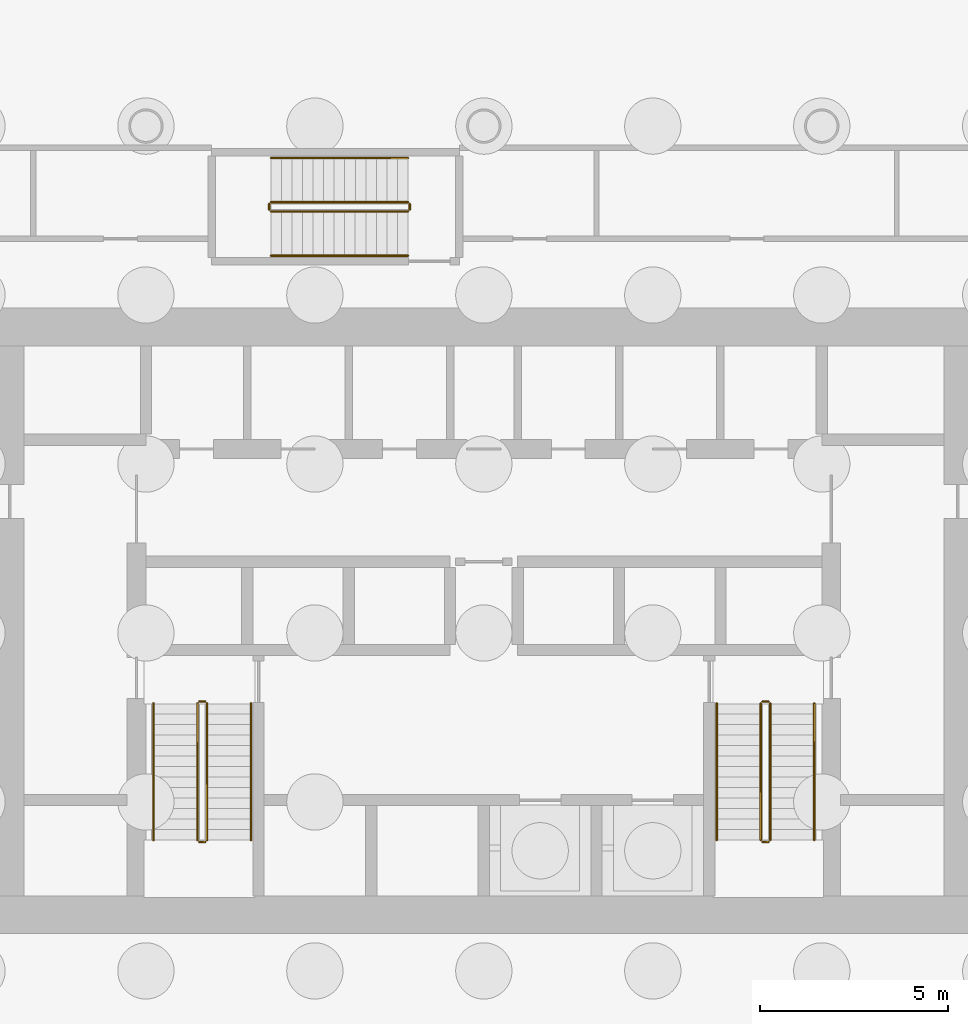
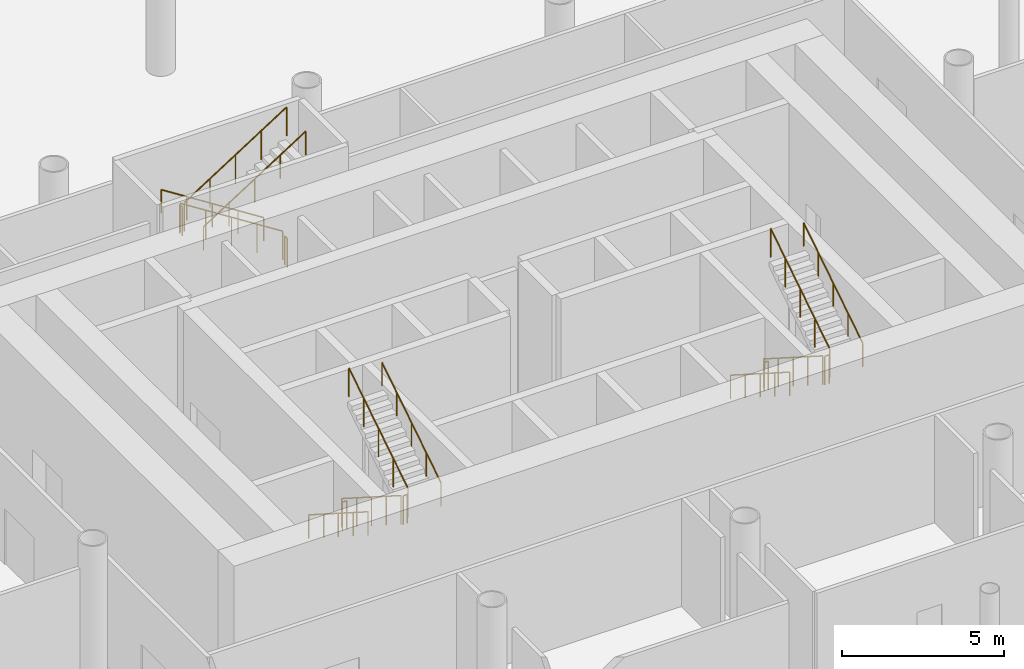
# One storey, part 9 of 10: 18 railings.
"""IFC4 building model written with IfcOpenShell, lengths in metres."""

from ifc_helpers import new_model, si_unit, direction, frame, origin, origin_2d, place, context, subcontext, project, spatial, circle, extrude, material, type_object, element, save


model = new_model("IFC4")

# Units and contexts
model_context = context("Model", 3, precision=1e-05, world=origin(), true_north=direction((0.0, 1.0)))
body_context = subcontext(model_context, "Body", "Model", "MODEL_VIEW")
ifc_project = project(units=[si_unit("LENGTHUNIT", "METRE"), si_unit("AREAUNIT", "SQUARE_METRE"), si_unit("VOLUMEUNIT", "CUBIC_METRE"), si_unit("PLANEANGLEUNIT", "RADIAN"), si_unit("MASSUNIT", "GRAM", prefix="KILO")], contexts=[model_context])

# Site, building, storey
site_placement = place(None, origin())
site = spatial("IfcSite", under=ifc_project, at=site_placement, CompositionType="ELEMENT")
building_placement = place(site_placement, origin())
building = spatial("IfcBuilding", under=site, at=building_placement, Name="Tskaro Facet Tower", CompositionType="ELEMENT")
storey_placement = place(building_placement, frame((0.0, 0.0, -5.0)))
storey = spatial("IfcBuildingStorey", under=building, at=storey_placement, Name="B1", CompositionType="ELEMENT", Elevation=-5.0)

# Railings
ifc_material = material(Name="Stainless steel", Category="steel")
railing_type_1 = type_object("IfcRailingType", Name="RL-GUARD-1100", PredefinedType="GUARDRAIL", material=ifc_material)
railing_1_placement = place(storey_placement, frame((-7.625, -6.375, 0.178466796875)))
element("IfcRailing", 1, at=railing_1_placement, inside=storey, type_object=railing_type_1, Name="B1 ST-1 stair guard 1", PredefinedType="GUARDRAIL", context=body_context, shape_type="SweptSolid", body=[
    extrude(circle(Radius=0.02392578125, at=origin_2d()), frame((0.0, 0.0, 1.076171875), z_axis=(0.0, -0.843111507901, 0.53773877045), x_axis=(1.0, 0.0, 0.0)), (0.0, 0.0, 1.0), 4.317138671875),
    extrude(circle(Radius=0.02099609375, at=origin_2d()), origin(), (0.0, 0.0, 1.0), 1.052001953125),
    extrude(circle(Radius=0.02099609375, at=origin_2d()), frame((0.0, -0.909912109375, 0.580322265625)), (0.0, 0.0, 1.0), 1.052001953125),
    extrude(circle(Radius=0.02099609375, at=origin_2d()), frame((0.0, -1.81982421875, 1.16064453125)), (0.0, 0.0, 1.0), 1.052001953125),
    extrude(circle(Radius=0.02099609375, at=origin_2d()), frame((0.0, -2.72998046875, 1.7412109375)), (0.0, 0.0, 1.0), 1.052001953125),
    extrude(circle(Radius=0.02099609375, at=origin_2d()), frame((0.0, -3.639892578125, 2.321533203125)), (0.0, 0.0, 1.0), 1.052001953125),
])
railing_2_placement = place(storey_placement, frame((-7.574951171875, -10.06494140625, 2.5)))
element("IfcRailing", 2, at=railing_2_placement, inside=storey, type_object=railing_type_1, Name="B1 ST-1 stair guard 2", PredefinedType="GUARDRAIL", context=body_context, shape_type="SweptSolid", body=[
    extrude(circle(Radius=0.02392578125, at=origin_2d()), frame((0.0, 0.0, 1.076171875), z_axis=(1.0, 0.0, 0.0), x_axis=(0.0, 1.0, 0.0)), (0.0, 0.0, 1.0), 0.14990234375),
    extrude(circle(Radius=0.02099609375, at=origin_2d()), origin(), (0.0, 0.0, 1.0), 1.052001953125),
    extrude(circle(Radius=0.02099609375, at=origin_2d()), frame((0.14990234375, 0.0, 0.0)), (0.0, 0.0, 1.0), 1.052001953125),
])
railing_3_placement = place(storey_placement, frame((-7.375, -10.014892578125, 2.678466796875)))
element("IfcRailing", 3, at=railing_3_placement, inside=storey, type_object=railing_type_1, Name="B1 ST-1 stair guard 3", PredefinedType="GUARDRAIL", context=body_context, shape_type="SweptSolid", body=[
    extrude(circle(Radius=0.02392578125, at=origin_2d()), frame((0.0, 0.0, 1.076171875), z_axis=(0.0, 0.843111507901, 0.53773877045), x_axis=(-1.0, 0.0, 0.0)), (0.0, 0.0, 1.0), 4.317138671875),
    extrude(circle(Radius=0.02099609375, at=origin_2d()), origin(), (0.0, 0.0, 1.0), 1.052001953125),
    extrude(circle(Radius=0.02099609375, at=origin_2d()), frame((0.0, 0.909912109375, 0.580322265625)), (0.0, 0.0, 1.0), 1.052001953125),
    extrude(circle(Radius=0.02099609375, at=origin_2d()), frame((0.0, 1.81982421875, 1.16064453125)), (0.0, 0.0, 1.0), 1.052001953125),
    extrude(circle(Radius=0.02099609375, at=origin_2d()), frame((0.0, 2.72998046875, 1.7412109375)), (0.0, 0.0, 1.0), 1.052001953125),
    extrude(circle(Radius=0.02099609375, at=origin_2d()), frame((0.0, 3.639892578125, 2.321533203125)), (0.0, 0.0, 1.0), 1.052001953125),
])
railing_4_placement = place(storey_placement, frame((-7.574951171875, -6.324951171875, 0.0)))
element("IfcRailing", 4, at=railing_4_placement, inside=storey, type_object=railing_type_1, Name="B1 ST-1 stair guard 4", PredefinedType="GUARDRAIL", context=body_context, shape_type="SweptSolid", body=[
    extrude(circle(Radius=0.02392578125, at=origin_2d()), frame((0.0, 0.0, 1.076171875), z_axis=(1.0, 0.0, 0.0), x_axis=(0.0, 1.0, 0.0)), (0.0, 0.0, 1.0), 0.14990234375),
    extrude(circle(Radius=0.02099609375, at=origin_2d()), origin(), (0.0, 0.0, 1.0), 1.052001953125),
    extrude(circle(Radius=0.02099609375, at=origin_2d()), frame((0.14990234375, 0.0, 0.0)), (0.0, 0.0, 1.0), 1.052001953125),
])
railing_5_placement = place(storey_placement, frame((7.375, -6.375, 0.178466796875)))
element("IfcRailing", 5, at=railing_5_placement, inside=storey, type_object=railing_type_1, Name="B1 ST-2 stair guard 1", PredefinedType="GUARDRAIL", context=body_context, shape_type="SweptSolid", body=[
    extrude(circle(Radius=0.02392578125, at=origin_2d()), frame((0.0, 0.0, 1.076171875), z_axis=(0.0, -0.843111507901, 0.53773877045), x_axis=(1.0, 0.0, 0.0)), (0.0, 0.0, 1.0), 4.317138671875),
    extrude(circle(Radius=0.02099609375, at=origin_2d()), origin(), (0.0, 0.0, 1.0), 1.052001953125),
    extrude(circle(Radius=0.02099609375, at=origin_2d()), frame((0.0, -0.909912109375, 0.580322265625)), (0.0, 0.0, 1.0), 1.052001953125),
    extrude(circle(Radius=0.02099609375, at=origin_2d()), frame((0.0, -1.81982421875, 1.16064453125)), (0.0, 0.0, 1.0), 1.052001953125),
    extrude(circle(Radius=0.02099609375, at=origin_2d()), frame((0.0, -2.72998046875, 1.7412109375)), (0.0, 0.0, 1.0), 1.052001953125),
    extrude(circle(Radius=0.02099609375, at=origin_2d()), frame((0.0, -3.639892578125, 2.321533203125)), (0.0, 0.0, 1.0), 1.052001953125),
])
railing_6_placement = place(storey_placement, frame((7.425048828125, -10.06494140625, 2.5)))
element("IfcRailing", 6, at=railing_6_placement, inside=storey, type_object=railing_type_1, Name="B1 ST-2 stair guard 2", PredefinedType="GUARDRAIL", context=body_context, shape_type="SweptSolid", body=[
    extrude(circle(Radius=0.02392578125, at=origin_2d()), frame((0.0, 0.0, 1.076171875), z_axis=(1.0, 0.0, 0.0), x_axis=(0.0, 1.0, 0.0)), (0.0, 0.0, 1.0), 0.14990234375),
    extrude(circle(Radius=0.02099609375, at=origin_2d()), origin(), (0.0, 0.0, 1.0), 1.052001953125),
    extrude(circle(Radius=0.02099609375, at=origin_2d()), frame((0.14990234375, 0.0, 0.0)), (0.0, 0.0, 1.0), 1.052001953125),
])
railing_7_placement = place(storey_placement, frame((7.625, -10.014892578125, 2.678466796875)))
element("IfcRailing", 7, at=railing_7_placement, inside=storey, type_object=railing_type_1, Name="B1 ST-2 stair guard 3", PredefinedType="GUARDRAIL", context=body_context, shape_type="SweptSolid", body=[
    extrude(circle(Radius=0.02392578125, at=origin_2d()), frame((0.0, 0.0, 1.076171875), z_axis=(0.0, 0.843111507901, 0.53773877045), x_axis=(-1.0, 0.0, 0.0)), (0.0, 0.0, 1.0), 4.317138671875),
    extrude(circle(Radius=0.02099609375, at=origin_2d()), origin(), (0.0, 0.0, 1.0), 1.052001953125),
    extrude(circle(Radius=0.02099609375, at=origin_2d()), frame((0.0, 0.909912109375, 0.580322265625)), (0.0, 0.0, 1.0), 1.052001953125),
    extrude(circle(Radius=0.02099609375, at=origin_2d()), frame((0.0, 1.81982421875, 1.16064453125)), (0.0, 0.0, 1.0), 1.052001953125),
    extrude(circle(Radius=0.02099609375, at=origin_2d()), frame((0.0, 2.72998046875, 1.7412109375)), (0.0, 0.0, 1.0), 1.052001953125),
    extrude(circle(Radius=0.02099609375, at=origin_2d()), frame((0.0, 3.639892578125, 2.321533203125)), (0.0, 0.0, 1.0), 1.052001953125),
])
railing_8_placement = place(storey_placement, frame((7.425048828125, -6.324951171875, 0.0)))
element("IfcRailing", 8, at=railing_8_placement, inside=storey, type_object=railing_type_1, Name="B1 ST-2 stair guard 4", PredefinedType="GUARDRAIL", context=body_context, shape_type="SweptSolid", body=[
    extrude(circle(Radius=0.02392578125, at=origin_2d()), frame((0.0, 0.0, 1.076171875), z_axis=(1.0, 0.0, 0.0), x_axis=(0.0, 1.0, 0.0)), (0.0, 0.0, 1.0), 0.14990234375),
    extrude(circle(Radius=0.02099609375, at=origin_2d()), origin(), (0.0, 0.0, 1.0), 1.052001953125),
    extrude(circle(Radius=0.02099609375, at=origin_2d()), frame((0.14990234375, 0.0, 0.0)), (0.0, 0.0, 1.0), 1.052001953125),
])
railing_9_placement = place(storey_placement, frame((-2.02490234375, 6.97509765625, 0.178466796875)))
element("IfcRailing", 9, at=railing_9_placement, inside=storey, type_object=railing_type_1, Name="B1 ST-3 stair guard 1", PredefinedType="GUARDRAIL", context=body_context, shape_type="SweptSolid", body=[
    extrude(circle(Radius=0.02392578125, at=origin_2d()), frame((0.0, 0.0, 1.076171875), z_axis=(-0.843127859045, 0.0, 0.537713132908), x_axis=(0.0, -1.0, 0.0)), (0.0, 0.0, 1.0), 4.3173828125),
    extrude(circle(Radius=0.02099609375, at=origin_2d()), origin(), (0.0, 0.0, 1.0), 1.052001953125),
    extrude(circle(Radius=0.02099609375, at=origin_2d()), frame((-0.91015625, 0.0, 0.580322265625)), (0.0, 0.0, 1.0), 1.052001953125),
    extrude(circle(Radius=0.02099609375, at=origin_2d()), frame((-1.820068359375, 0.0, 1.16064453125)), (0.0, 0.0, 1.0), 1.052001953125),
    extrude(circle(Radius=0.02099609375, at=origin_2d()), frame((-2.72998046875, 0.0, 1.7412109375)), (0.0, 0.0, 1.0), 1.052001953125),
    extrude(circle(Radius=0.02099609375, at=origin_2d()), frame((-3.64013671875, 0.0, 2.321533203125)), (0.0, 0.0, 1.0), 1.052001953125),
])
railing_10_placement = place(storey_placement, frame((-5.715087890625, 6.925048828125, 2.5)))
element("IfcRailing", 10, at=railing_10_placement, inside=storey, type_object=railing_type_1, Name="B1 ST-3 stair guard 2", PredefinedType="GUARDRAIL", context=body_context, shape_type="SweptSolid", body=[
    extrude(circle(Radius=0.02392578125, at=origin_2d()), frame((0.0, 0.0, 1.076171875), z_axis=(0.0, -1.0, 0.0), x_axis=(1.0, 0.0, 0.0)), (0.0, 0.0, 1.0), 0.150146484375),
    extrude(circle(Radius=0.02099609375, at=origin_2d()), origin(), (0.0, 0.0, 1.0), 1.052001953125),
    extrude(circle(Radius=0.02099609375, at=origin_2d()), frame((0.0, -0.150146484375, 0.0)), (0.0, 0.0, 1.0), 1.052001953125),
])
railing_11_placement = place(storey_placement, frame((-5.6650390625, 6.72509765625, 2.678466796875)))
element("IfcRailing", 11, at=railing_11_placement, inside=storey, type_object=railing_type_1, Name="B1 ST-3 stair guard 3", PredefinedType="GUARDRAIL", context=body_context, shape_type="SweptSolid", body=[
    extrude(circle(Radius=0.02392578125, at=origin_2d()), frame((0.0, 0.0, 1.076171875), z_axis=(0.843127859045, 0.0, 0.537713132908), x_axis=(0.0, 1.0, 0.0)), (0.0, 0.0, 1.0), 4.3173828125),
    extrude(circle(Radius=0.02099609375, at=origin_2d()), origin(), (0.0, 0.0, 1.0), 1.052001953125),
    extrude(circle(Radius=0.02099609375, at=origin_2d()), frame((0.91015625, 0.0, 0.580322265625)), (0.0, 0.0, 1.0), 1.052001953125),
    extrude(circle(Radius=0.02099609375, at=origin_2d()), frame((1.820068359375, 0.0, 1.16064453125)), (0.0, 0.0, 1.0), 1.052001953125),
    extrude(circle(Radius=0.02099609375, at=origin_2d()), frame((2.72998046875, 0.0, 1.7412109375)), (0.0, 0.0, 1.0), 1.052001953125),
    extrude(circle(Radius=0.02099609375, at=origin_2d()), frame((3.64013671875, 0.0, 2.321533203125)), (0.0, 0.0, 1.0), 1.052001953125),
])
railing_12_placement = place(storey_placement, frame((-1.97509765625, 6.925048828125, 0.0)))
element("IfcRailing", 12, at=railing_12_placement, inside=storey, type_object=railing_type_1, Name="B1 ST-3 stair guard 4", PredefinedType="GUARDRAIL", context=body_context, shape_type="SweptSolid", body=[
    extrude(circle(Radius=0.02392578125, at=origin_2d()), frame((0.0, 0.0, 1.076171875), z_axis=(0.0, -1.0, 0.0), x_axis=(1.0, 0.0, 0.0)), (0.0, 0.0, 1.0), 0.150146484375),
    extrude(circle(Radius=0.02099609375, at=origin_2d()), origin(), (0.0, 0.0, 1.0), 1.052001953125),
    extrude(circle(Radius=0.02099609375, at=origin_2d()), frame((0.0, -0.150146484375, 0.0)), (0.0, 0.0, 1.0), 1.052001953125),
])
railing_type_2 = type_object("IfcRailingType", Name="RL-HANDRAIL-900", PredefinedType="HANDRAIL", material=ifc_material)
railing_13_placement = place(storey_placement, frame((-8.800048828125, -6.375, 0.178466796875)))
element("IfcRailing", 13, at=railing_13_placement, inside=storey, type_object=railing_type_2, Name="B1 ST-1 stair handrail 1", PredefinedType="HANDRAIL", context=body_context, shape_type="SweptSolid", body=[
    extrude(circle(Radius=0.02392578125, at=origin_2d()), frame((0.0, 0.0, 0.8759765625), z_axis=(0.0, -0.843111507901, 0.53773877045), x_axis=(1.0, 0.0, 0.0)), (0.0, 0.0, 1.0), 4.317138671875),
    extrude(circle(Radius=0.02099609375, at=origin_2d()), origin(), (0.0, 0.0, 1.0), 0.851806640625),
    extrude(circle(Radius=0.02099609375, at=origin_2d()), frame((0.0, -0.909912109375, 0.580322265625)), (0.0, 0.0, 1.0), 0.851806640625),
    extrude(circle(Radius=0.02099609375, at=origin_2d()), frame((0.0, -1.81982421875, 1.16064453125)), (0.0, 0.0, 1.0), 0.851806640625),
    extrude(circle(Radius=0.02099609375, at=origin_2d()), frame((0.0, -2.72998046875, 1.7412109375)), (0.0, 0.0, 1.0), 0.851806640625),
    extrude(circle(Radius=0.02099609375, at=origin_2d()), frame((0.0, -3.639892578125, 2.321533203125)), (0.0, 0.0, 1.0), 0.851806640625),
])
railing_14_placement = place(storey_placement, frame((-6.199951171875, -10.014892578125, 2.678466796875)))
element("IfcRailing", 14, at=railing_14_placement, inside=storey, type_object=railing_type_2, Name="B1 ST-1 stair handrail 2", PredefinedType="HANDRAIL", context=body_context, shape_type="SweptSolid", body=[
    extrude(circle(Radius=0.02392578125, at=origin_2d()), frame((0.0, 0.0, 0.8759765625), z_axis=(0.0, 0.843111507901, 0.53773877045), x_axis=(-1.0, 0.0, 0.0)), (0.0, 0.0, 1.0), 4.317138671875),
    extrude(circle(Radius=0.02099609375, at=origin_2d()), origin(), (0.0, 0.0, 1.0), 0.851806640625),
    extrude(circle(Radius=0.02099609375, at=origin_2d()), frame((0.0, 0.909912109375, 0.580322265625)), (0.0, 0.0, 1.0), 0.851806640625),
    extrude(circle(Radius=0.02099609375, at=origin_2d()), frame((0.0, 1.81982421875, 1.16064453125)), (0.0, 0.0, 1.0), 0.851806640625),
    extrude(circle(Radius=0.02099609375, at=origin_2d()), frame((0.0, 2.72998046875, 1.7412109375)), (0.0, 0.0, 1.0), 0.851806640625),
    extrude(circle(Radius=0.02099609375, at=origin_2d()), frame((0.0, 3.639892578125, 2.321533203125)), (0.0, 0.0, 1.0), 0.851806640625),
])
railing_15_placement = place(storey_placement, frame((6.199951171875, -6.375, 0.178466796875)))
element("IfcRailing", 15, at=railing_15_placement, inside=storey, type_object=railing_type_2, Name="B1 ST-2 stair handrail 1", PredefinedType="HANDRAIL", context=body_context, shape_type="SweptSolid", body=[
    extrude(circle(Radius=0.02392578125, at=origin_2d()), frame((0.0, 0.0, 0.8759765625), z_axis=(0.0, -0.843111507901, 0.53773877045), x_axis=(1.0, 0.0, 0.0)), (0.0, 0.0, 1.0), 4.317138671875),
    extrude(circle(Radius=0.02099609375, at=origin_2d()), origin(), (0.0, 0.0, 1.0), 0.851806640625),
    extrude(circle(Radius=0.02099609375, at=origin_2d()), frame((0.0, -0.909912109375, 0.580322265625)), (0.0, 0.0, 1.0), 0.851806640625),
    extrude(circle(Radius=0.02099609375, at=origin_2d()), frame((0.0, -1.81982421875, 1.16064453125)), (0.0, 0.0, 1.0), 0.851806640625),
    extrude(circle(Radius=0.02099609375, at=origin_2d()), frame((0.0, -2.72998046875, 1.7412109375)), (0.0, 0.0, 1.0), 0.851806640625),
    extrude(circle(Radius=0.02099609375, at=origin_2d()), frame((0.0, -3.639892578125, 2.321533203125)), (0.0, 0.0, 1.0), 0.851806640625),
])
railing_16_placement = place(storey_placement, frame((8.800048828125, -10.014892578125, 2.678466796875)))
element("IfcRailing", 16, at=railing_16_placement, inside=storey, type_object=railing_type_2, Name="B1 ST-2 stair handrail 2", PredefinedType="HANDRAIL", context=body_context, shape_type="SweptSolid", body=[
    extrude(circle(Radius=0.02392578125, at=origin_2d()), frame((0.0, 0.0, 0.8759765625), z_axis=(0.0, 0.843111507901, 0.53773877045), x_axis=(-1.0, 0.0, 0.0)), (0.0, 0.0, 1.0), 4.317138671875),
    extrude(circle(Radius=0.02099609375, at=origin_2d()), origin(), (0.0, 0.0, 1.0), 0.851806640625),
    extrude(circle(Radius=0.02099609375, at=origin_2d()), frame((0.0, 0.909912109375, 0.580322265625)), (0.0, 0.0, 1.0), 0.851806640625),
    extrude(circle(Radius=0.02099609375, at=origin_2d()), frame((0.0, 1.81982421875, 1.16064453125)), (0.0, 0.0, 1.0), 0.851806640625),
    extrude(circle(Radius=0.02099609375, at=origin_2d()), frame((0.0, 2.72998046875, 1.7412109375)), (0.0, 0.0, 1.0), 0.851806640625),
    extrude(circle(Radius=0.02099609375, at=origin_2d()), frame((0.0, 3.639892578125, 2.321533203125)), (0.0, 0.0, 1.0), 0.851806640625),
])
railing_17_placement = place(storey_placement, frame((-2.02490234375, 8.14990234375, 0.178466796875)))
element("IfcRailing", 17, at=railing_17_placement, inside=storey, type_object=railing_type_2, Name="B1 ST-3 stair handrail 1", PredefinedType="HANDRAIL", context=body_context, shape_type="SweptSolid", body=[
    extrude(circle(Radius=0.02392578125, at=origin_2d()), frame((0.0, 0.0, 0.8759765625), z_axis=(-0.843127859045, 0.0, 0.537713132908), x_axis=(0.0, -1.0, 0.0)), (0.0, 0.0, 1.0), 4.3173828125),
    extrude(circle(Radius=0.02099609375, at=origin_2d()), origin(), (0.0, 0.0, 1.0), 0.851806640625),
    extrude(circle(Radius=0.02099609375, at=origin_2d()), frame((-0.91015625, 0.0, 0.580322265625)), (0.0, 0.0, 1.0), 0.851806640625),
    extrude(circle(Radius=0.02099609375, at=origin_2d()), frame((-1.820068359375, 0.0, 1.16064453125)), (0.0, 0.0, 1.0), 0.851806640625),
    extrude(circle(Radius=0.02099609375, at=origin_2d()), frame((-2.72998046875, 0.0, 1.7412109375)), (0.0, 0.0, 1.0), 0.851806640625),
    extrude(circle(Radius=0.02099609375, at=origin_2d()), frame((-3.64013671875, 0.0, 2.321533203125)), (0.0, 0.0, 1.0), 0.851806640625),
])
railing_18_placement = place(storey_placement, frame((-5.6650390625, 5.550048828125, 2.678466796875)))
element("IfcRailing", 18, at=railing_18_placement, inside=storey, type_object=railing_type_2, Name="B1 ST-3 stair handrail 2", PredefinedType="HANDRAIL", context=body_context, shape_type="SweptSolid", body=[
    extrude(circle(Radius=0.02392578125, at=origin_2d()), frame((0.0, 0.0, 0.8759765625), z_axis=(0.843127859045, 0.0, 0.537713132908), x_axis=(0.0, 1.0, 0.0)), (0.0, 0.0, 1.0), 4.3173828125),
    extrude(circle(Radius=0.02099609375, at=origin_2d()), origin(), (0.0, 0.0, 1.0), 0.851806640625),
    extrude(circle(Radius=0.02099609375, at=origin_2d()), frame((0.91015625, 0.0, 0.580322265625)), (0.0, 0.0, 1.0), 0.851806640625),
    extrude(circle(Radius=0.02099609375, at=origin_2d()), frame((1.820068359375, 0.0, 1.16064453125)), (0.0, 0.0, 1.0), 0.851806640625),
    extrude(circle(Radius=0.02099609375, at=origin_2d()), frame((2.72998046875, 0.0, 1.7412109375)), (0.0, 0.0, 1.0), 0.851806640625),
    extrude(circle(Radius=0.02099609375, at=origin_2d()), frame((3.64013671875, 0.0, 2.321533203125)), (0.0, 0.0, 1.0), 0.851806640625),
])

save(model, "model.ifc")
